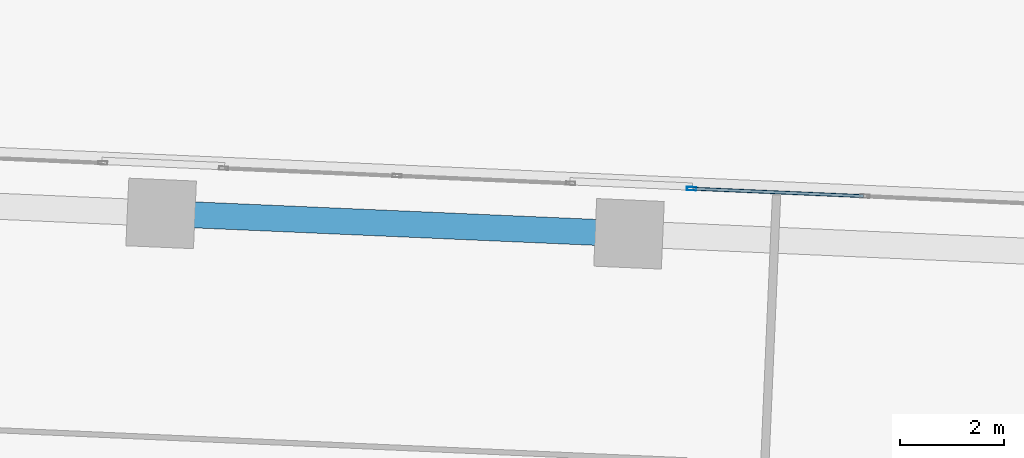
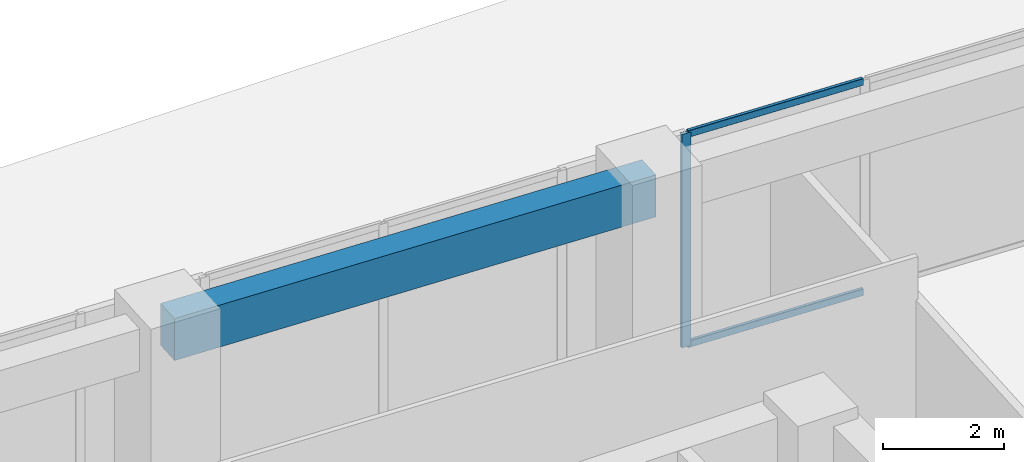
# One storey, part 19 of 33: 3 members, 1 beam, 1 element without a shape of its own.
"""IFC4 building model written with IfcOpenShell, lengths in metres."""

from ifc_helpers import new_model, si_unit, direction, frame, origin, origin_2d, place, context, subcontext, project, spatial, rectangle, hollow_rectangle, extrude, source, transform, mapped, material, material_profile, profile_set, type_object, element, aggregate, save


model = new_model("IFC4")

# Units and contexts
model_context = context("Model", 3, precision=1e-05, world=origin(), true_north=direction((0.0, 1.0)))
body_context = subcontext(model_context, "Body", "Model", "MODEL_VIEW")
ifc_project = project(units=[si_unit("LENGTHUNIT", "METRE"), si_unit("AREAUNIT", "SQUARE_METRE"), si_unit("VOLUMEUNIT", "CUBIC_METRE"), si_unit("PLANEANGLEUNIT", "RADIAN"), si_unit("MASSUNIT", "GRAM", prefix="KILO")], contexts=[model_context])

# Site, building, storey
site_placement = place(None, origin())
site = spatial("IfcSite", under=ifc_project, at=site_placement, CompositionType="ELEMENT")
building_placement = place(site_placement, origin())
building = spatial("IfcBuilding", under=site, at=building_placement, Name="Torre Montelarca", CompositionType="ELEMENT")
storey_placement = place(building_placement, frame((0.0, 0.0, 32.800048828125)))
storey = spatial("IfcBuildingStorey", under=building, at=storey_placement, Name="L07", CompositionType="ELEMENT", Elevation=32.800048828125)

# Beam
ifc_material_1 = material(Name="Concrete C55/67", Category="concrete")
ifc_material_profile_1 = material_profile(ifc_material_1, rectangle(XDim=0.5, YDim=0.85009765625, at=origin_2d()), Name="RCB500X850", Category="concrete")
ifc_profile_set_1 = profile_set([ifc_material_profile_1], Name="Concrete C55/67")
beam_type = type_object("IfcBeamType", Name="BM-SP-RC850-EXT", PredefinedType="SPANDREL", material=ifc_profile_set_1)
shared_shape_1 = source(origin(), body_context, "Body", "SweptSolid", [
    extrude(rectangle(XDim=0.5, YDim=0.85009765625, at=origin_2d()), origin(), (0.0, 0.0, 1.0), 8.999755859375),
])
beam_placement = place(storey_placement, frame((18.664306640625, 47.2880859375, 4.135009765625), z_axis=(0.999049338634, -0.043593795134, 0.0), x_axis=(0.043593795134, 0.999049338634, 0.0)))
element("IfcBeam", 1, at=beam_placement, inside=storey, type_object=beam_type, Name="L07 Grid Girder X 18.0-27.0 at Y=47.1", PredefinedType="SPANDREL", context=body_context, shape_type="MappedRepresentation", body=[
    mapped(shared_shape_1, transform((0.0, 0.0, 0.0), scale=1.0)),
])

# Curtain wall, members
ifc_material_2 = material(Name="Insulated low-E laminated glass", Category="glass")
curtain_wall_type = type_object("IfcCurtainWallType", Name="CW-SYS-Z1", PredefinedType="USERDEFINED", material=ifc_material_2)
curtain_wall_placement = place(storey_placement, origin())
curtain_wall = element("IfcCurtainWall", 2, at=curtain_wall_placement, inside=storey, type_object=curtain_wall_type, Name="L07 Curtain Wall Run CW-T3-L07-E08-B2", ObjectType="UNITISED GLAZING", PredefinedType="USERDEFINED")
ifc_material_3 = material(Name="Anodised aluminium AA 6063-T6", Category="aluminium")
ifc_material_profile_2 = material_profile(ifc_material_3, hollow_rectangle(XDim=0.06494140625, YDim=0.179931640625, WallThickness=0.00390625, InnerFilletRadius=0.00390625, OuterFilletRadius=0.008056640625, at=origin_2d()), Name="ALU65X180X4", Category="aluminium")
ifc_profile_set_2 = profile_set([ifc_material_profile_2], Name="Anodised aluminium AA 6063-T6")
member_type_1 = type_object("IfcMemberType", Name="CWM-ALU180", PredefinedType="MULLION", material=ifc_profile_set_2)
shared_shape_2 = source(origin(), body_context, "Body", "SweptSolid", [
    extrude(hollow_rectangle(XDim=0.06494140625, YDim=0.179931640625, WallThickness=0.00390625, InnerFilletRadius=0.00390625, OuterFilletRadius=0.008056640625, at=origin_2d()), origin(), (0.0, 0.0, 1.0), 4.320068359375),
])
member_1_placement = place(storey_placement, frame((28.857177734375, 47.76416015625, 0.0), z_axis=(0.0, 0.0, 1.0), x_axis=(-0.043620726206, -0.999048163126, 0.0)))
member_1 = element("IfcMember", 3, at=member_1_placement, type_object=member_type_1, Name="CW mullion 3", PredefinedType="MULLION", context=body_context, shape_type="MappedRepresentation", body=[
    mapped(shared_shape_2, transform((0.0, 0.0, 0.0), scale=1.0)),
])
ifc_material_profile_3 = material_profile(ifc_material_3, hollow_rectangle(XDim=0.06494140625, YDim=0.139892578125, WallThickness=0.00390625, InnerFilletRadius=0.00390625, OuterFilletRadius=0.008056640625, at=origin_2d()), Name="ALU65X140X4", Category="aluminium")
ifc_profile_set_3 = profile_set([ifc_material_profile_3], Name="Anodised aluminium AA 6063-T6")
member_type_2 = type_object("IfcMemberType", Name="CWT-ALU140", PredefinedType="USERDEFINED", material=ifc_profile_set_3)
shared_shape_3 = source(origin(), body_context, "Body", "SweptSolid", [
    extrude(hollow_rectangle(XDim=0.06494140625, YDim=0.139892578125, WallThickness=0.00390625, InnerFilletRadius=0.00390625, OuterFilletRadius=0.008056640625, at=origin_2d()), origin(), (0.0, 0.0, 1.0), 3.2724609375),
])
member_2_placement = place(storey_placement, frame((32.158935546875, 47.6201171875, 0.032470703125), z_axis=(-0.999050378121, 0.043569966457, 0.0), x_axis=(-0.043569966457, -0.999050378121, 0.0)))
member_2 = element("IfcMember", 4, at=member_2_placement, type_object=member_type_2, Name="CW transom 2.1", ObjectType="TRANSOM", PredefinedType="USERDEFINED", context=body_context, shape_type="MappedRepresentation", body=[
    mapped(shared_shape_3, transform((0.0, 0.0, 0.0), scale=1.0)),
])
member_3_placement = place(storey_placement, frame((32.158935546875, 47.6201171875, 4.287353515625), z_axis=(-0.999050378121, 0.043569966457, 0.0), x_axis=(-0.043569966457, -0.999050378121, 0.0)))
member_3 = element("IfcMember", 5, at=member_3_placement, type_object=member_type_2, Name="CW transom 2.2", ObjectType="TRANSOM", PredefinedType="USERDEFINED", context=body_context, shape_type="MappedRepresentation", body=[
    mapped(shared_shape_3, transform((0.0, 0.0, 0.0), scale=1.0)),
])
aggregate(curtain_wall, [member_1, member_2, member_3])

save(model, "model.ifc")
